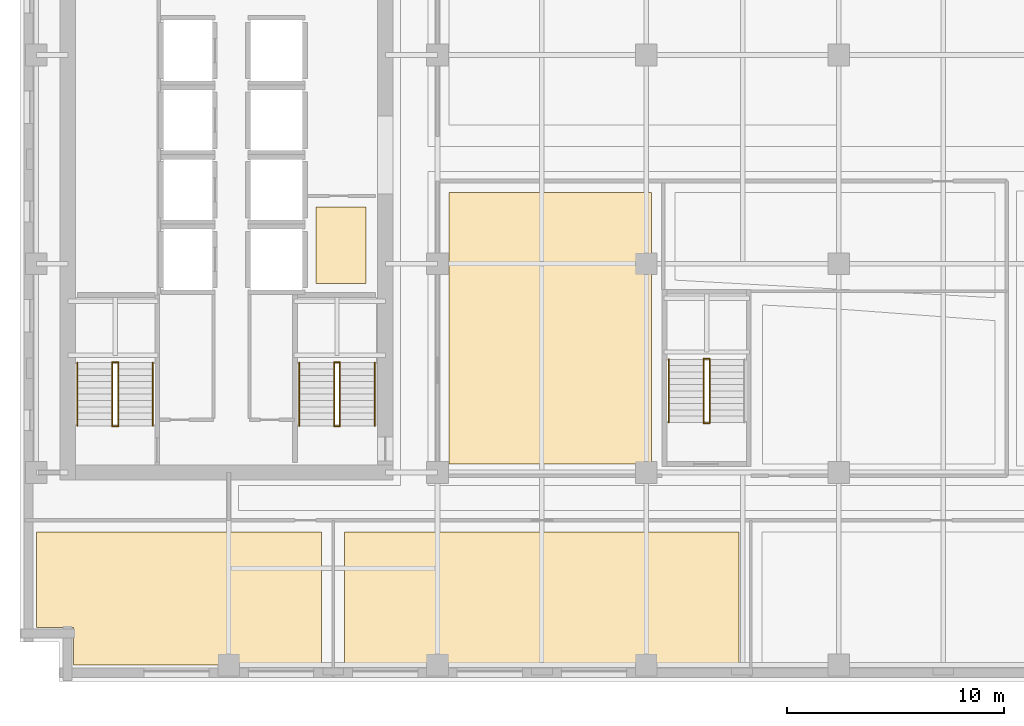
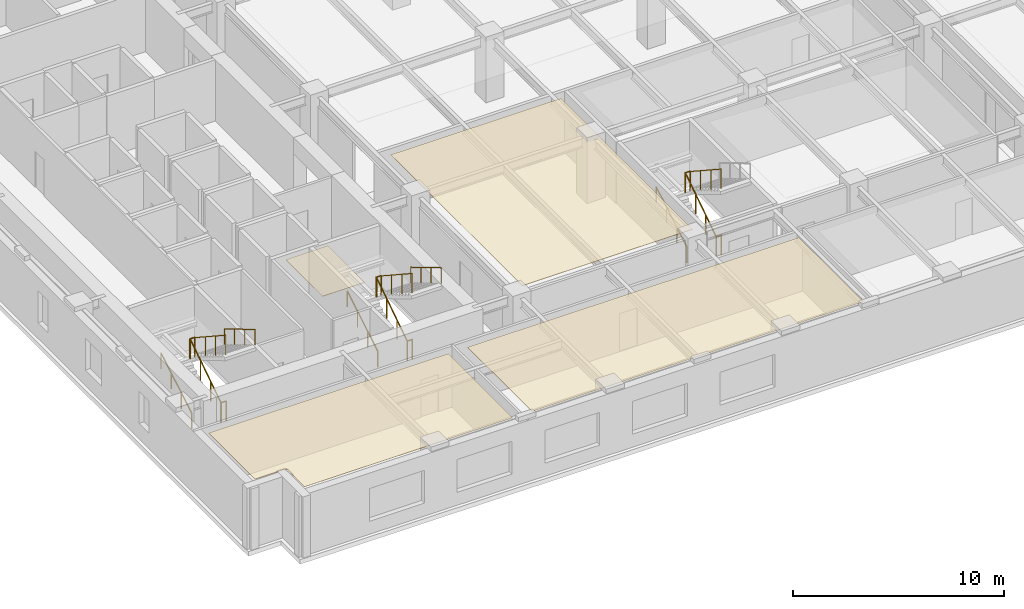
# One storey, part 8 of 12: 17 railings, 4 coverings.
"""IFC4 building model written with IfcOpenShell, lengths in metres."""

from ifc_helpers import new_model, si_unit, direction, frame, origin, origin_2d, place, context, subcontext, project, spatial, polyline, circle, outline, extrude, material, layer, layer_set, type_object, element, save


model = new_model("IFC4")

# Units and contexts
model_context = context("Model", 3, precision=1e-05, world=origin(), true_north=direction((0.0, 1.0)))
body_context = subcontext(model_context, "Body", "Model", "MODEL_VIEW")
ifc_project = project(units=[si_unit("LENGTHUNIT", "METRE"), si_unit("AREAUNIT", "SQUARE_METRE"), si_unit("VOLUMEUNIT", "CUBIC_METRE"), si_unit("PLANEANGLEUNIT", "RADIAN"), si_unit("MASSUNIT", "GRAM", prefix="KILO")], contexts=[model_context])

# Site, building, storey
site_placement = place(None, origin())
site = spatial("IfcSite", under=ifc_project, at=site_placement, CompositionType="ELEMENT")
building_placement = place(site_placement, origin())
building = spatial("IfcBuilding", under=site, at=building_placement, Name="Norrvale University Quadrangle", CompositionType="ELEMENT")
storey_placement = place(building_placement, frame((0.0, 0.0, 139.39990234375)))
storey = spatial("IfcBuildingStorey", under=building, at=storey_placement, Name="L35", CompositionType="ELEMENT", Elevation=139.39990234375)

# Coverings
ifc_material_1 = material(Name="Perforated Acoustic Mineral Ceiling")
ifc_layer_1 = layer(ifc_material_1, 0.02490234375, Name="Perforated Acoustic Mineral Ceiling")
ifc_layer_set_1 = layer_set([ifc_layer_1], Name="Perforated Acoustic Mineral Ceiling")
covering_type_1 = type_object("IfcCoveringType", Name="Covering Acoustic Ceiling 25", PredefinedType="CEILING", material=ifc_layer_set_1)
covering_1_placement = place(storey_placement, frame((0.0, 0.0, 3.51513671875)))
element("IfcCovering", 1, at=covering_1_placement, inside=storey, type_object=covering_type_1, Name="Acoustic Ceiling RM-L35-S01", PredefinedType="CEILING", context=body_context, shape_type="SweptSolid", body=[
    extrude(outline(polyline([(0.75, 6.8701171875), (13.8701171875, 6.8701171875), (13.8701171875, 0.75), (2.469970703125, 0.75), (2.469970703125, 2.469970703125), (0.75, 2.469970703125), (0.75, 6.8701171875)])), origin(), (0.0, 0.0, 1.0), 0.02490234375),
])
covering_2_placement = place(storey_placement, frame((0.0, 0.0, 3.51513671875)))
element("IfcCovering", 2, at=covering_2_placement, inside=storey, type_object=covering_type_1, Name="Acoustic Ceiling RM-L35-S02", PredefinedType="CEILING", context=body_context, shape_type="SweptSolid", body=[
    extrude(outline(polyline([(14.929931640625, 6.8701171875), (33.070068359375, 6.8701171875), (33.070068359375, 0.75), (14.929931640625, 0.75), (14.929931640625, 6.8701171875)])), origin(), (0.0, 0.0, 1.0), 0.02490234375),
])
covering_3_placement = place(storey_placement, frame((0.0, 0.0, 3.51513671875)))
element("IfcCovering", 3, at=covering_3_placement, inside=storey, type_object=covering_type_1, Name="Acoustic Ceiling RM-L35-IW1", PredefinedType="CEILING", context=body_context, shape_type="SweptSolid", body=[
    extrude(outline(polyline([(19.72998046875, 9.97998046875), (19.72998046875, 22.469970703125), (29.050048828125, 22.469970703125), (29.050048828125, 9.97998046875), (19.72998046875, 9.97998046875)])), origin(), (0.0, 0.0, 1.0), 0.02490234375),
])
ifc_material_2 = material(Name="Polished Terrazzo Flooring")
ifc_layer_2 = layer(ifc_material_2, 0.02490234375, Name="Polished Terrazzo Flooring")
ifc_layer_set_2 = layer_set([ifc_layer_2], Name="Polished Terrazzo Flooring")
covering_type_2 = type_object("IfcCoveringType", Name="Covering Terrazzo Floor 30", PredefinedType="FLOORING", material=ifc_layer_set_2)
covering_4_placement = place(storey_placement, origin())
element("IfcCovering", 4, at=covering_4_placement, inside=storey, type_object=covering_type_2, Name="Terrazzo Flooring RM-L35-JAN", PredefinedType="FLOORING", context=body_context, shape_type="SweptSolid", body=[
    extrude(outline(polyline([(13.60009765625, 18.300048828125), (13.60009765625, 21.800048828125), (15.89990234375, 21.800048828125), (15.89990234375, 18.300048828125), (13.60009765625, 18.300048828125)])), origin(), (0.0, 0.0, 1.0), 0.025146484375),
])

# Railings
ifc_material_3 = material(Name="Steel 350W Painted Balustrade", Category="steel")
railing_type_1 = type_object("IfcRailingType", Name="Railing Stair Guard 1100", PredefinedType="GUARDRAIL", material=ifc_material_3)
for number, where, name in (
    (5, (4.239990234375, 11.719970703125, 0.0), "Stair Floor Well Guard ST-01 L35"),
    (6, (4.239990234375, 14.679931640625, 1.900146484375), "Stair Mid-Landing Slot Guard ST-01 L35"),
):
    element("IfcRailing", number, at=place(storey_placement, frame(where)), inside=storey, type_object=railing_type_1, Name=name, PredefinedType="GUARDRAIL", context=body_context, shape_type="SweptSolid", body=[
        extrude(circle(Radius=0.02392578125, at=origin_2d()), frame((0.0, 0.0, 1.1259765625), z_axis=(1.0, 0.0, 0.0), x_axis=(0.0, 1.0, 0.0)), (0.0, 0.0, 1.0), 0.27001953125),
        extrude(circle(Radius=0.02099609375, at=origin_2d()), origin(), (0.0, 0.0, 1.0), 1.101806640625),
        extrude(circle(Radius=0.02099609375, at=origin_2d()), frame((0.27001953125, 0.0, 0.0)), (0.0, 0.0, 1.0), 1.101806640625),
    ])
railing_1_placement = place(storey_placement, frame((4.239990234375, 11.75, 0.0)))
element("IfcRailing", 7, at=railing_1_placement, inside=storey, type_object=railing_type_1, Name="Stair Lower Flight Inner Guard ST-01 L35", PredefinedType="GUARDRAIL", context=body_context, shape_type="SweptSolid", body=[
    extrude(circle(Radius=0.02392578125, at=origin_2d()), frame((0.0, 0.0, 1.1259765625), z_axis=(0.0, 0.836433300813, 0.548068730445), x_axis=(-1.0, 0.0, 0.0)), (0.0, 0.0, 1.0), 3.467041015625),
    extrude(circle(Radius=0.02099609375, at=origin_2d()), origin(), (0.0, 0.0, 1.0), 1.101806640625),
    extrude(circle(Radius=0.02099609375, at=origin_2d()), frame((0.0, 0.966552734375, 0.63330078125)), (0.0, 0.0, 1.0), 1.101806640625),
    extrude(circle(Radius=0.02099609375, at=origin_2d()), frame((0.0, 1.933349609375, 1.266845703125)), (0.0, 0.0, 1.0), 1.101806640625),
    extrude(circle(Radius=0.02099609375, at=origin_2d()), frame((0.0, 2.89990234375, 1.900146484375)), (0.0, 0.0, 1.0), 1.101806640625),
])
railing_2_placement = place(storey_placement, frame((4.510009765625, 14.64990234375, 1.900146484375)))
element("IfcRailing", 8, at=railing_2_placement, inside=storey, type_object=railing_type_1, Name="Stair Upper Flight Inner Guard ST-01 L35", PredefinedType="GUARDRAIL", context=body_context, shape_type="SweptSolid", body=[
    extrude(circle(Radius=0.02392578125, at=origin_2d()), frame((0.0, 0.0, 1.1259765625), z_axis=(0.0, -0.836465582154, 0.548019461216), x_axis=(1.0, 0.0, 0.0)), (0.0, 0.0, 1.0), 3.466796875),
    extrude(circle(Radius=0.02099609375, at=origin_2d()), origin(), (0.0, 0.0, 1.0), 1.101806640625),
    extrude(circle(Radius=0.02099609375, at=origin_2d()), frame((0.0, -0.966552734375, 0.63330078125)), (0.0, 0.0, 1.0), 1.101806640625),
    extrude(circle(Radius=0.02099609375, at=origin_2d()), frame((0.0, -1.933349609375, 1.2666015625)), (0.0, 0.0, 1.0), 1.101806640625),
    extrude(circle(Radius=0.02099609375, at=origin_2d()), frame((0.0, -2.89990234375, 1.89990234375)), (0.0, 0.0, 1.0), 1.101806640625),
])
for number, where, name in (
    (9, (14.43994140625, 11.719970703125, 0.0), "Stair Floor Well Guard ST-03 L35"),
    (10, (14.43994140625, 14.679931640625, 1.900146484375), "Stair Mid-Landing Slot Guard ST-03 L35"),
):
    element("IfcRailing", number, at=place(storey_placement, frame(where)), inside=storey, type_object=railing_type_1, Name=name, PredefinedType="GUARDRAIL", context=body_context, shape_type="SweptSolid", body=[
        extrude(circle(Radius=0.02392578125, at=origin_2d()), frame((0.0, 0.0, 1.1259765625), z_axis=(1.0, 0.0, 0.0), x_axis=(0.0, 1.0, 0.0)), (0.0, 0.0, 1.0), 0.27001953125),
        extrude(circle(Radius=0.02099609375, at=origin_2d()), origin(), (0.0, 0.0, 1.0), 1.101806640625),
        extrude(circle(Radius=0.02099609375, at=origin_2d()), frame((0.27001953125, 0.0, 0.0)), (0.0, 0.0, 1.0), 1.101806640625),
    ])
railing_3_placement = place(storey_placement, frame((14.43994140625, 11.75, 0.0)))
element("IfcRailing", 11, at=railing_3_placement, inside=storey, type_object=railing_type_1, Name="Stair Lower Flight Inner Guard ST-03 L35", PredefinedType="GUARDRAIL", context=body_context, shape_type="SweptSolid", body=[
    extrude(circle(Radius=0.02392578125, at=origin_2d()), frame((0.0, 0.0, 1.1259765625), z_axis=(0.0, 0.836433300813, 0.548068730445), x_axis=(-1.0, 0.0, 0.0)), (0.0, 0.0, 1.0), 3.467041015625),
    extrude(circle(Radius=0.02099609375, at=origin_2d()), origin(), (0.0, 0.0, 1.0), 1.101806640625),
    extrude(circle(Radius=0.02099609375, at=origin_2d()), frame((0.0, 0.966552734375, 0.63330078125)), (0.0, 0.0, 1.0), 1.101806640625),
    extrude(circle(Radius=0.02099609375, at=origin_2d()), frame((0.0, 1.933349609375, 1.266845703125)), (0.0, 0.0, 1.0), 1.101806640625),
    extrude(circle(Radius=0.02099609375, at=origin_2d()), frame((0.0, 2.89990234375, 1.900146484375)), (0.0, 0.0, 1.0), 1.101806640625),
])
railing_4_placement = place(storey_placement, frame((14.7099609375, 14.64990234375, 1.900146484375)))
element("IfcRailing", 12, at=railing_4_placement, inside=storey, type_object=railing_type_1, Name="Stair Upper Flight Inner Guard ST-03 L35", PredefinedType="GUARDRAIL", context=body_context, shape_type="SweptSolid", body=[
    extrude(circle(Radius=0.02392578125, at=origin_2d()), frame((0.0, 0.0, 1.1259765625), z_axis=(0.0, -0.836465582154, 0.548019461216), x_axis=(1.0, 0.0, 0.0)), (0.0, 0.0, 1.0), 3.466796875),
    extrude(circle(Radius=0.02099609375, at=origin_2d()), origin(), (0.0, 0.0, 1.0), 1.101806640625),
    extrude(circle(Radius=0.02099609375, at=origin_2d()), frame((0.0, -0.966552734375, 0.63330078125)), (0.0, 0.0, 1.0), 1.101806640625),
    extrude(circle(Radius=0.02099609375, at=origin_2d()), frame((0.0, -1.933349609375, 1.2666015625)), (0.0, 0.0, 1.0), 1.101806640625),
    extrude(circle(Radius=0.02099609375, at=origin_2d()), frame((0.0, -2.89990234375, 1.89990234375)), (0.0, 0.0, 1.0), 1.101806640625),
])
for number, where, name in (
    (13, (31.43994140625, 11.8701171875, 0.0), "Stair Floor Well Guard ST-04 L35"),
    (14, (31.43994140625, 14.830078125, 1.900146484375), "Stair Mid-Landing Slot Guard ST-04 L35"),
):
    element("IfcRailing", number, at=place(storey_placement, frame(where)), inside=storey, type_object=railing_type_1, Name=name, PredefinedType="GUARDRAIL", context=body_context, shape_type="SweptSolid", body=[
        extrude(circle(Radius=0.02392578125, at=origin_2d()), frame((0.0, 0.0, 1.1259765625), z_axis=(1.0, 0.0, 0.0), x_axis=(0.0, 1.0, 0.0)), (0.0, 0.0, 1.0), 0.27001953125),
        extrude(circle(Radius=0.02099609375, at=origin_2d()), origin(), (0.0, 0.0, 1.0), 1.101806640625),
        extrude(circle(Radius=0.02099609375, at=origin_2d()), frame((0.27001953125, 0.0, 0.0)), (0.0, 0.0, 1.0), 1.101806640625),
    ])
railing_5_placement = place(storey_placement, frame((31.43994140625, 11.89990234375, 0.0)))
element("IfcRailing", 15, at=railing_5_placement, inside=storey, type_object=railing_type_1, Name="Stair Lower Flight Inner Guard ST-04 L35", PredefinedType="GUARDRAIL", context=body_context, shape_type="SweptSolid", body=[
    extrude(circle(Radius=0.02392578125, at=origin_2d()), frame((0.0, 0.0, 1.1259765625), z_axis=(0.0, 0.836454451266, 0.548036450392), x_axis=(-1.0, 0.0, 0.0)), (0.0, 0.0, 1.0), 3.46728515625),
    extrude(circle(Radius=0.02099609375, at=origin_2d()), origin(), (0.0, 0.0, 1.0), 1.101806640625),
    extrude(circle(Radius=0.02099609375, at=origin_2d()), frame((0.0, 0.966796875, 0.63330078125)), (0.0, 0.0, 1.0), 1.101806640625),
    extrude(circle(Radius=0.02099609375, at=origin_2d()), frame((0.0, 1.933349609375, 1.266845703125)), (0.0, 0.0, 1.0), 1.101806640625),
    extrude(circle(Radius=0.02099609375, at=origin_2d()), frame((0.0, 2.900146484375, 1.900146484375)), (0.0, 0.0, 1.0), 1.101806640625),
])
railing_6_placement = place(storey_placement, frame((31.7099609375, 14.800048828125, 1.900146484375)))
element("IfcRailing", 16, at=railing_6_placement, inside=storey, type_object=railing_type_1, Name="Stair Upper Flight Inner Guard ST-04 L35", PredefinedType="GUARDRAIL", context=body_context, shape_type="SweptSolid", body=[
    extrude(circle(Radius=0.02392578125, at=origin_2d()), frame((0.0, 0.0, 1.1259765625), z_axis=(0.0, -0.836486729621, 0.547987181573), x_axis=(1.0, 0.0, 0.0)), (0.0, 0.0, 1.0), 3.467041015625),
    extrude(circle(Radius=0.02099609375, at=origin_2d()), origin(), (0.0, 0.0, 1.0), 1.101806640625),
    extrude(circle(Radius=0.02099609375, at=origin_2d()), frame((0.0, -0.966796875, 0.63330078125)), (0.0, 0.0, 1.0), 1.101806640625),
    extrude(circle(Radius=0.02099609375, at=origin_2d()), frame((0.0, -1.933349609375, 1.2666015625)), (0.0, 0.0, 1.0), 1.101806640625),
    extrude(circle(Radius=0.02099609375, at=origin_2d()), frame((0.0, -2.900146484375, 1.89990234375)), (0.0, 0.0, 1.0), 1.101806640625),
])
ifc_material_4 = material(Name="Stainless Steel 316L Handrail", Category="steel")
railing_type_2 = type_object("IfcRailingType", Name="Railing Stair Handrail 920", PredefinedType="HANDRAIL", material=ifc_material_4)
railing_7_placement = place(storey_placement, frame((2.639892578125, 11.75, 0.1728515625)))
element("IfcRailing", 17, at=railing_7_placement, inside=storey, type_object=railing_type_2, Name="Stair Lower Flight Handrail ST-01 L35", PredefinedType="HANDRAIL", context=body_context, shape_type="SweptSolid", body=[
    extrude(circle(Radius=0.02392578125, at=origin_2d()), frame((0.0, 0.0, 0.89599609375), z_axis=(0.0, 0.859141464434, 0.511738159696), x_axis=(-1.0, 0.0, 0.0)), (0.0, 0.0, 1.0), 3.375244140625),
    extrude(circle(Radius=0.02099609375, at=origin_2d()), origin(), (0.0, 0.0, 1.0), 0.871826171875),
    extrude(circle(Radius=0.02099609375, at=origin_2d()), frame((0.0, 0.966552734375, 0.57568359375)), (0.0, 0.0, 1.0), 0.871826171875),
    extrude(circle(Radius=0.02099609375, at=origin_2d()), frame((0.0, 1.933349609375, 1.151611328125)), (0.0, 0.0, 1.0), 0.871826171875),
    extrude(circle(Radius=0.02099609375, at=origin_2d()), frame((0.0, 2.89990234375, 1.727294921875)), (0.0, 0.0, 1.0), 0.871826171875),
])
railing_8_placement = place(storey_placement, frame((6.110107421875, 14.64990234375, 2.07275390625)))
element("IfcRailing", 18, at=railing_8_placement, inside=storey, type_object=railing_type_2, Name="Stair Upper Flight Handrail ST-01 L35", PredefinedType="HANDRAIL", context=body_context, shape_type="SweptSolid", body=[
    extrude(circle(Radius=0.02392578125, at=origin_2d()), frame((0.0, 0.0, 0.89599609375), z_axis=(0.0, -0.859141464434, 0.511738159696), x_axis=(1.0, 0.0, 0.0)), (0.0, 0.0, 1.0), 3.375244140625),
    extrude(circle(Radius=0.02099609375, at=origin_2d()), origin(), (0.0, 0.0, 1.0), 0.871826171875),
    extrude(circle(Radius=0.02099609375, at=origin_2d()), frame((0.0, -0.966552734375, 0.57568359375)), (0.0, 0.0, 1.0), 0.871826171875),
    extrude(circle(Radius=0.02099609375, at=origin_2d()), frame((0.0, -1.933349609375, 1.151611328125)), (0.0, 0.0, 1.0), 0.871826171875),
    extrude(circle(Radius=0.02099609375, at=origin_2d()), frame((0.0, -2.89990234375, 1.727294921875)), (0.0, 0.0, 1.0), 0.871826171875),
])
railing_9_placement = place(storey_placement, frame((12.840087890625, 11.75, 0.1728515625)))
element("IfcRailing", 19, at=railing_9_placement, inside=storey, type_object=railing_type_2, Name="Stair Lower Flight Handrail ST-03 L35", PredefinedType="HANDRAIL", context=body_context, shape_type="SweptSolid", body=[
    extrude(circle(Radius=0.02392578125, at=origin_2d()), frame((0.0, 0.0, 0.89599609375), z_axis=(0.0, 0.859141464434, 0.511738159696), x_axis=(-1.0, 0.0, 0.0)), (0.0, 0.0, 1.0), 3.375244140625),
    extrude(circle(Radius=0.02099609375, at=origin_2d()), origin(), (0.0, 0.0, 1.0), 0.871826171875),
    extrude(circle(Radius=0.02099609375, at=origin_2d()), frame((0.0, 0.966552734375, 0.57568359375)), (0.0, 0.0, 1.0), 0.871826171875),
    extrude(circle(Radius=0.02099609375, at=origin_2d()), frame((0.0, 1.933349609375, 1.151611328125)), (0.0, 0.0, 1.0), 0.871826171875),
    extrude(circle(Radius=0.02099609375, at=origin_2d()), frame((0.0, 2.89990234375, 1.727294921875)), (0.0, 0.0, 1.0), 0.871826171875),
])
railing_10_placement = place(storey_placement, frame((16.31005859375, 14.64990234375, 2.07275390625)))
element("IfcRailing", 20, at=railing_10_placement, inside=storey, type_object=railing_type_2, Name="Stair Upper Flight Handrail ST-03 L35", PredefinedType="HANDRAIL", context=body_context, shape_type="SweptSolid", body=[
    extrude(circle(Radius=0.02392578125, at=origin_2d()), frame((0.0, 0.0, 0.89599609375), z_axis=(0.0, -0.859141464434, 0.511738159696), x_axis=(1.0, 0.0, 0.0)), (0.0, 0.0, 1.0), 3.375244140625),
    extrude(circle(Radius=0.02099609375, at=origin_2d()), origin(), (0.0, 0.0, 1.0), 0.871826171875),
    extrude(circle(Radius=0.02099609375, at=origin_2d()), frame((0.0, -0.966552734375, 0.57568359375)), (0.0, 0.0, 1.0), 0.871826171875),
    extrude(circle(Radius=0.02099609375, at=origin_2d()), frame((0.0, -1.933349609375, 1.151611328125)), (0.0, 0.0, 1.0), 0.871826171875),
    extrude(circle(Radius=0.02099609375, at=origin_2d()), frame((0.0, -2.89990234375, 1.727294921875)), (0.0, 0.0, 1.0), 0.871826171875),
])
railing_11_placement = place(storey_placement, frame((29.840087890625, 11.89990234375, 0.1728515625)))
element("IfcRailing", 21, at=railing_11_placement, inside=storey, type_object=railing_type_2, Name="Stair Lower Flight Handrail ST-04 L35", PredefinedType="HANDRAIL", context=body_context, shape_type="SweptSolid", body=[
    extrude(circle(Radius=0.02392578125, at=origin_2d()), frame((0.0, 0.0, 0.89599609375), z_axis=(0.0, 0.859160404282, 0.51170636083), x_axis=(-1.0, 0.0, 0.0)), (0.0, 0.0, 1.0), 3.37548828125),
    extrude(circle(Radius=0.02099609375, at=origin_2d()), origin(), (0.0, 0.0, 1.0), 0.871826171875),
    extrude(circle(Radius=0.02099609375, at=origin_2d()), frame((0.0, 0.966796875, 0.57568359375)), (0.0, 0.0, 1.0), 0.871826171875),
    extrude(circle(Radius=0.02099609375, at=origin_2d()), frame((0.0, 1.933349609375, 1.151611328125)), (0.0, 0.0, 1.0), 0.871826171875),
    extrude(circle(Radius=0.02099609375, at=origin_2d()), frame((0.0, 2.900146484375, 1.727294921875)), (0.0, 0.0, 1.0), 0.871826171875),
])

save(model, "model.ifc")
